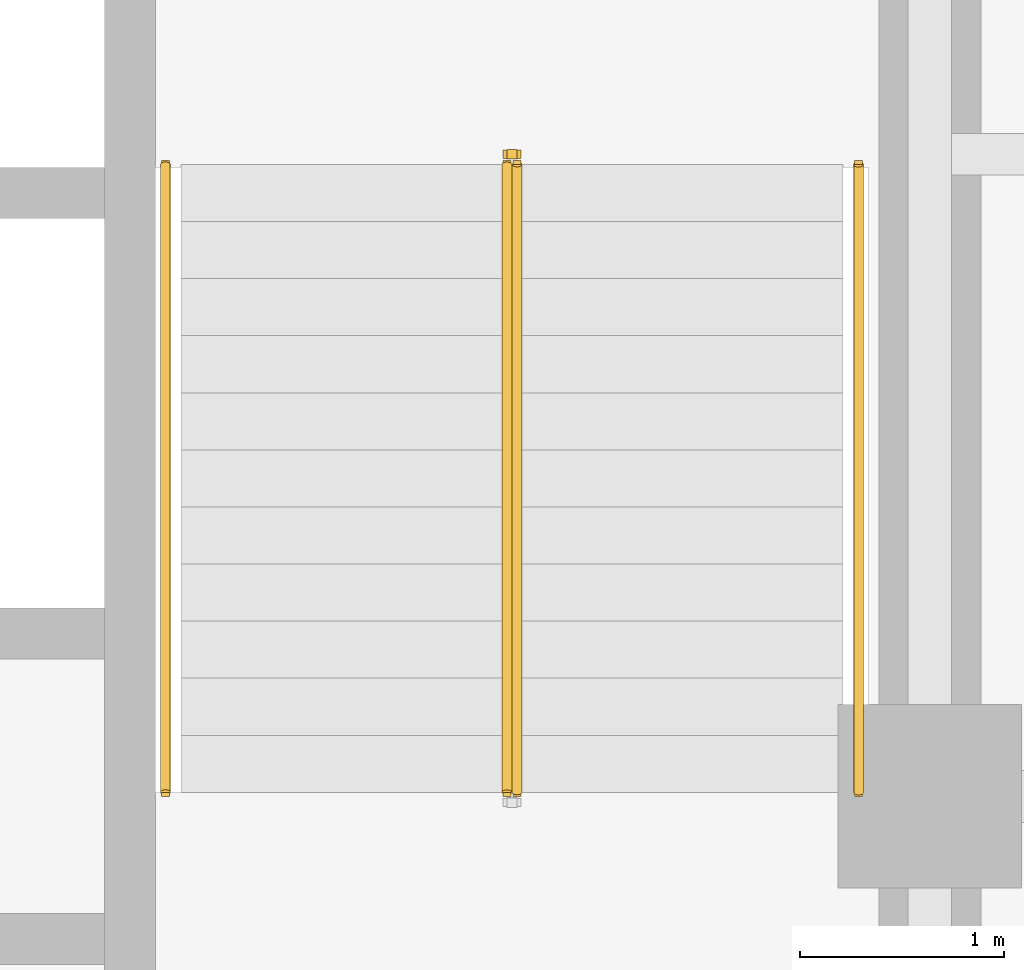
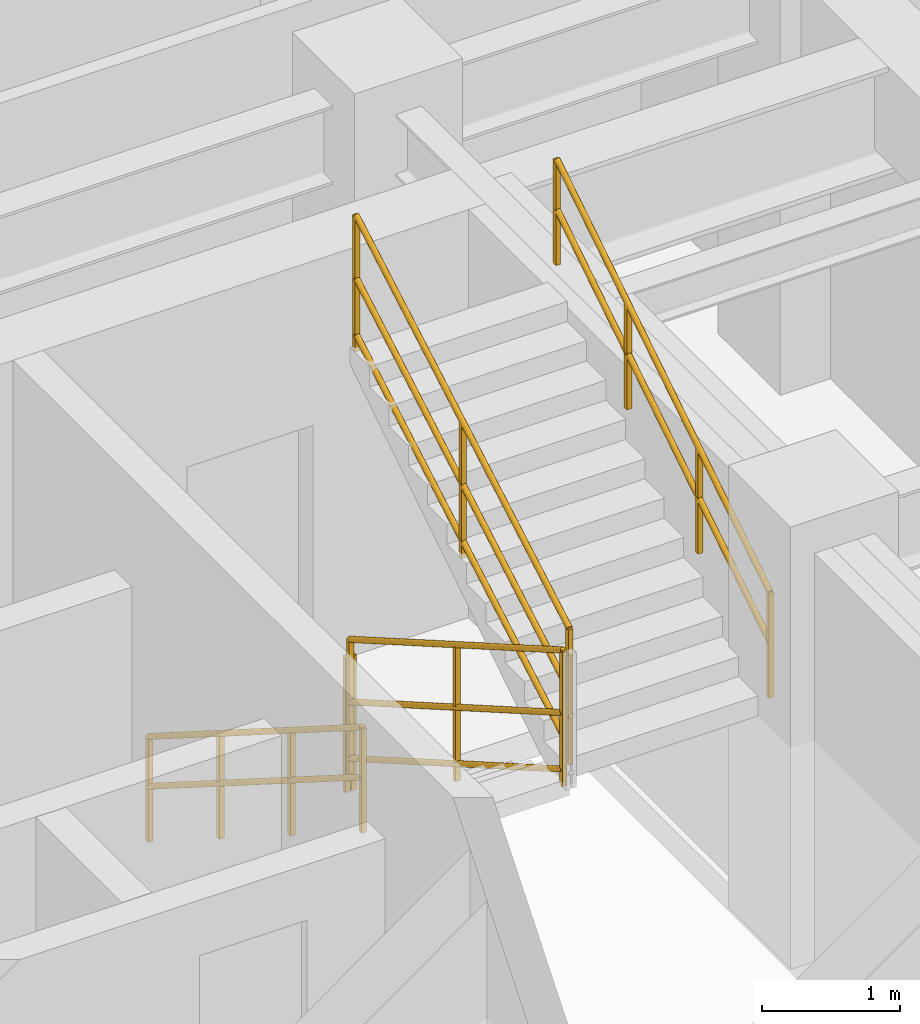
# One storey, part 10 of 11: 5 railings.
"""IFC4 building model written with IfcOpenShell, lengths in metres."""

from ifc_helpers import new_model, entity, si_unit, converted_unit, direction, frame, origin_with_axes, origin_2d_with_axis, place, context, subcontext, project, spatial, rectangle, circle, extrude, material, type_object, element, save


model = new_model("IFC4")

# Units and contexts
model_context = context("Model", 3, precision=1e-05, world=origin_with_axes(), true_north=direction((0.0, 1.0)))
body_context = subcontext(model_context, "Body", "Model", "MODEL_VIEW")
ifc_project = project(units=[si_unit("LENGTHUNIT", "METRE"), si_unit("AREAUNIT", "SQUARE_METRE"), si_unit("VOLUMEUNIT", "CUBIC_METRE"), converted_unit("PLANEANGLEUNIT", "DEGREE", entity("IfcPlaneAngleMeasure", 0.017453292519943295), si_unit("PLANEANGLEUNIT", "RADIAN"), dimensions=[0, 0, 0, 0, 0, 0, 0]), si_unit("MASSUNIT", "GRAM", prefix="KILO"), si_unit("THERMODYNAMICTEMPERATUREUNIT", "KELVIN")], contexts=[model_context])

# Site, building, storey
site_placement = place(None, origin_with_axes())
site = spatial("IfcSite", under=ifc_project, at=site_placement, CompositionType="ELEMENT")
building_placement = place(site_placement, origin_with_axes())
building = spatial("IfcBuilding", under=site, at=building_placement, Name="Varnlund Millrace Tower", CompositionType="ELEMENT")
storey_placement = place(building_placement, frame((0.0, 0.0, 216.0), z_axis=(0.0, 0.0, 1.0), x_axis=(1.0, 0.0, 0.0)))
storey = spatial("IfcBuildingStorey", under=building, at=storey_placement, Name="L53", CompositionType="ELEMENT", Elevation=216.0)

# Railings
ifc_material_1 = material(Name="Painted steel stair well balustrade guard", Category="steel")
railing_type_1 = type_object("IfcRailingType", Name="Type-StairGuard-1150", PredefinedType="GUARDRAIL", material=ifc_material_1)
railing_1_placement = place(storey_placement, frame((0.0, 0.0, -216.0), z_axis=(0.0, 0.0, 1.0), x_axis=(1.0, 0.0, 0.0)))
element("IfcRailing", 1, at=railing_1_placement, inside=storey, type_object=railing_type_1, Name="Type-StairGuard-1150", PredefinedType="GUARDRAIL", context=body_context, shape_type="SweptSolid", body=[
    extrude(circle(Radius=0.024, at=origin_2d_with_axis()), frame((45.975, 21.1, 217.327273), z_axis=(0.0, -0.866696, 0.498836), x_axis=(1.0, 0.0, 0.0)), (0.0, 0.0, 1.0), 3.553725),
    extrude(circle(Radius=0.024, at=origin_2d_with_axis()), frame((45.975, 21.1, 216.277273), z_axis=(0.0, -0.866696, 0.498836), x_axis=(1.0, 0.0, 0.0)), (0.0, 0.0, 1.0), 3.553725),
    extrude(circle(Radius=0.024, at=origin_2d_with_axis()), frame((45.975, 21.1, 216.775273), z_axis=(0.0, -0.866696, 0.498836), x_axis=(1.0, 0.0, 0.0)), (0.0, 0.0, 1.0), 3.553725),
    extrude(rectangle(XDim=0.04, YDim=0.04, at=origin_2d_with_axis()), frame((45.975, 21.1, 216.137273), z_axis=(0.0, 0.0, 1.0), x_axis=(1.0, 0.0, 0.0)), (0.0, 0.0, 1.0), 1.19),
    extrude(rectangle(XDim=0.04, YDim=0.04, at=origin_2d_with_axis()), frame((45.975, 19.56, 217.023637), z_axis=(0.0, 0.0, 1.0), x_axis=(1.0, 0.0, 0.0)), (0.0, 0.0, 1.0), 1.19),
    extrude(rectangle(XDim=0.04, YDim=0.04, at=origin_2d_with_axis()), frame((45.975, 18.02, 217.91), z_axis=(0.0, 0.0, 1.0), x_axis=(1.0, 0.0, 0.0)), (0.0, 0.0, 1.0), 1.19),
])
railing_2_placement = place(storey_placement, frame((0.0, 0.0, -216.0), z_axis=(0.0, 0.0, 1.0), x_axis=(1.0, 0.0, 0.0)))
element("IfcRailing", 2, at=railing_2_placement, inside=storey, type_object=railing_type_1, Name="Type-StairGuard-1150", PredefinedType="GUARDRAIL", context=body_context, shape_type="SweptSolid", body=[
    extrude(circle(Radius=0.024, at=origin_2d_with_axis()), frame((46.025, 18.02, 219.277273), z_axis=(0.0, 0.866696, 0.498836), x_axis=(-1.0, 0.0, 0.0)), (0.0, 0.0, 1.0), 3.553725),
    extrude(circle(Radius=0.024, at=origin_2d_with_axis()), frame((46.025, 18.02, 218.227273), z_axis=(0.0, 0.866696, 0.498836), x_axis=(-1.0, 0.0, 0.0)), (0.0, 0.0, 1.0), 3.553725),
    extrude(circle(Radius=0.024, at=origin_2d_with_axis()), frame((46.025, 18.02, 218.725273), z_axis=(0.0, 0.866696, 0.498836), x_axis=(-1.0, 0.0, 0.0)), (0.0, 0.0, 1.0), 3.553725),
    extrude(rectangle(XDim=0.04, YDim=0.04, at=origin_2d_with_axis()), frame((46.025, 18.02, 218.087273), z_axis=(0.0, 0.0, 1.0), x_axis=(1.0, 0.0, 0.0)), (0.0, 0.0, 1.0), 1.19),
    extrude(rectangle(XDim=0.04, YDim=0.04, at=origin_2d_with_axis()), frame((46.025, 19.56, 218.973637), z_axis=(0.0, 0.0, 1.0), x_axis=(1.0, 0.0, 0.0)), (0.0, 0.0, 1.0), 1.19),
    extrude(rectangle(XDim=0.04, YDim=0.04, at=origin_2d_with_axis()), frame((46.025, 21.1, 219.86), z_axis=(0.0, 0.0, 1.0), x_axis=(1.0, 0.0, 0.0)), (0.0, 0.0, 1.0), 1.19),
])
railing_3_placement = place(storey_placement, frame((0.0, 0.0, -216.0), z_axis=(0.0, 0.0, 1.0), x_axis=(1.0, 0.0, 0.0)))
element("IfcRailing", 3, at=railing_3_placement, inside=storey, type_object=railing_type_1, Name="Type-StairGuard-1150", PredefinedType="GUARDRAIL", context=body_context, shape_type="SweptSolid", body=[
    extrude(circle(Radius=0.024, at=origin_2d_with_axis()), frame((46.025, 21.15, 217.15), z_axis=(-1.0, 0.0, 0.0), x_axis=(0.0, -1.0, 0.0)), (0.0, 0.0, 1.0), 0.05),
    extrude(circle(Radius=0.024, at=origin_2d_with_axis()), frame((46.025, 21.15, 216.1), z_axis=(-1.0, 0.0, 0.0), x_axis=(0.0, -1.0, 0.0)), (0.0, 0.0, 1.0), 0.05),
    extrude(circle(Radius=0.024, at=origin_2d_with_axis()), frame((46.025, 21.15, 216.598), z_axis=(-1.0, 0.0, 0.0), x_axis=(0.0, -1.0, 0.0)), (0.0, 0.0, 1.0), 0.05),
    extrude(rectangle(XDim=0.04, YDim=0.04, at=origin_2d_with_axis()), frame((46.025, 21.15, 215.96), z_axis=(0.0, 0.0, 1.0), x_axis=(1.0, 0.0, 0.0)), (0.0, 0.0, 1.0), 1.19),
    extrude(rectangle(XDim=0.04, YDim=0.04, at=origin_2d_with_axis()), frame((45.975, 21.15, 215.96), z_axis=(0.0, 0.0, 1.0), x_axis=(1.0, 0.0, 0.0)), (0.0, 0.0, 1.0), 1.19),
])
ifc_material_2 = material(Name="Brushed architectural bronze stair handrail", Category="aluminium")
railing_type_2 = type_object("IfcRailingType", Name="Type-StairHandrail-900", PredefinedType="HANDRAIL", material=ifc_material_2)
railing_4_placement = place(storey_placement, frame((0.0, 0.0, -216.0), z_axis=(0.0, 0.0, 1.0), x_axis=(1.0, 0.0, 0.0)))
element("IfcRailing", 4, at=railing_4_placement, inside=storey, type_object=railing_type_2, Name="Type-StairHandrail-900", PredefinedType="HANDRAIL", context=body_context, shape_type="SweptSolid", body=[
    extrude(circle(Radius=0.024, at=origin_2d_with_axis()), frame((44.3, 21.1, 217.056995), z_axis=(0.0, -0.844902, 0.534922), x_axis=(1.0, 0.0, 0.0)), (0.0, 0.0, 1.0), 3.645394),
    extrude(circle(Radius=0.024, at=origin_2d_with_axis()), frame((44.3, 21.1, 216.617134), z_axis=(0.0, -0.844902, 0.534922), x_axis=(1.0, 0.0, 0.0)), (0.0, 0.0, 1.0), 3.645394),
    extrude(rectangle(XDim=0.04, YDim=0.04, at=origin_2d_with_axis()), frame((44.3, 21.1, 216.137273), z_axis=(0.0, 0.0, 1.0), x_axis=(1.0, 0.0, 0.0)), (0.0, 0.0, 1.0), 0.919722),
    extrude(rectangle(XDim=0.04, YDim=0.04, at=origin_2d_with_axis()), frame((44.3, 20.073333, 216.787273), z_axis=(0.0, 0.0, 1.0), x_axis=(1.0, 0.0, 0.0)), (0.0, 0.0, 1.0), 0.919722),
    extrude(rectangle(XDim=0.04, YDim=0.04, at=origin_2d_with_axis()), frame((44.3, 19.046667, 217.437273), z_axis=(0.0, 0.0, 1.0), x_axis=(1.0, 0.0, 0.0)), (0.0, 0.0, 1.0), 0.919722),
    extrude(rectangle(XDim=0.04, YDim=0.04, at=origin_2d_with_axis()), frame((44.3, 18.02, 218.087273), z_axis=(0.0, 0.0, 1.0), x_axis=(1.0, 0.0, 0.0)), (0.0, 0.0, 1.0), 0.919722),
])
railing_5_placement = place(storey_placement, frame((0.0, 0.0, -216.0), z_axis=(0.0, 0.0, 1.0), x_axis=(1.0, 0.0, 0.0)))
element("IfcRailing", 5, at=railing_5_placement, inside=storey, type_object=railing_type_2, Name="Type-StairHandrail-900", PredefinedType="HANDRAIL", context=body_context, shape_type="SweptSolid", body=[
    extrude(circle(Radius=0.024, at=origin_2d_with_axis()), frame((47.7, 18.02, 219.006995), z_axis=(0.0, 0.844902, 0.534922), x_axis=(-1.0, 0.0, 0.0)), (0.0, 0.0, 1.0), 3.645394),
    extrude(circle(Radius=0.024, at=origin_2d_with_axis()), frame((47.7, 18.02, 218.567134), z_axis=(0.0, 0.844902, 0.534922), x_axis=(-1.0, 0.0, 0.0)), (0.0, 0.0, 1.0), 3.645394),
    extrude(rectangle(XDim=0.04, YDim=0.04, at=origin_2d_with_axis()), frame((47.7, 18.02, 218.087273), z_axis=(0.0, 0.0, 1.0), x_axis=(1.0, 0.0, 0.0)), (0.0, 0.0, 1.0), 0.919722),
    extrude(rectangle(XDim=0.04, YDim=0.04, at=origin_2d_with_axis()), frame((47.7, 19.046667, 218.737273), z_axis=(0.0, 0.0, 1.0), x_axis=(1.0, 0.0, 0.0)), (0.0, 0.0, 1.0), 0.919722),
    extrude(rectangle(XDim=0.04, YDim=0.04, at=origin_2d_with_axis()), frame((47.7, 20.073333, 219.387273), z_axis=(0.0, 0.0, 1.0), x_axis=(1.0, 0.0, 0.0)), (0.0, 0.0, 1.0), 0.919722),
    extrude(rectangle(XDim=0.04, YDim=0.04, at=origin_2d_with_axis()), frame((47.7, 21.1, 220.037273), z_axis=(0.0, 0.0, 1.0), x_axis=(1.0, 0.0, 0.0)), (0.0, 0.0, 1.0), 0.919722),
])

save(model, "model.ifc")
